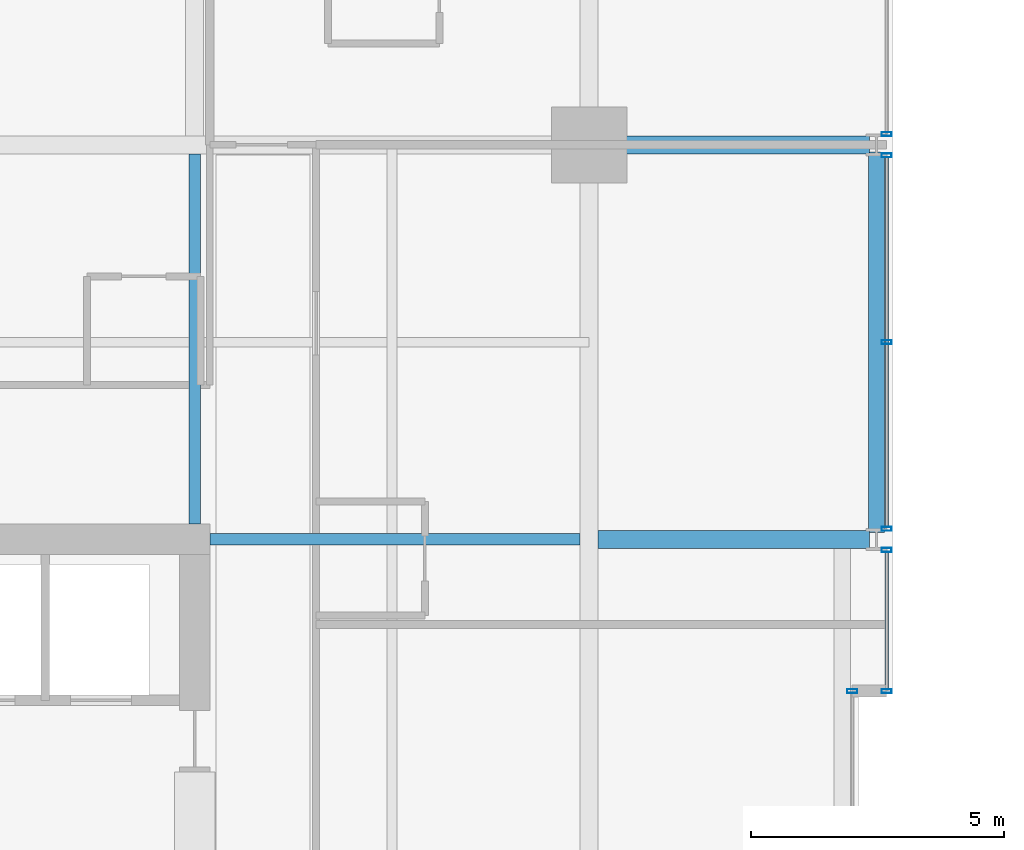
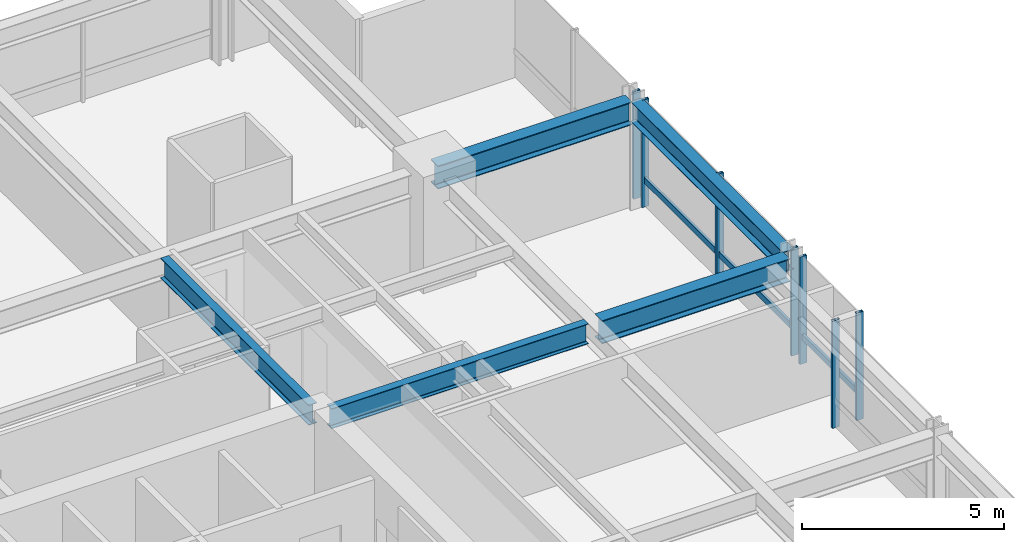
# One storey, part 23 of 33: 9 members, 5 beams, 4 elements without a shape of their own.
"""IFC4 building model written with IfcOpenShell, lengths in metres."""

from ifc_helpers import new_model, si_unit, direction, frame, origin, origin_2d, place, context, subcontext, project, spatial, hollow_rectangle, i_section, extrude, material, layer, layer_set, material_profile, profile_set, type_object, element, aggregate, save


model = new_model("IFC4")

# Units and contexts
model_context = context("Model", 3, precision=1e-05, world=origin(), true_north=direction((0.0, 1.0)))
body_context = subcontext(model_context, "Body", "Model", "MODEL_VIEW")
ifc_project = project(units=[si_unit("LENGTHUNIT", "METRE"), si_unit("AREAUNIT", "SQUARE_METRE"), si_unit("VOLUMEUNIT", "CUBIC_METRE"), si_unit("PLANEANGLEUNIT", "RADIAN"), si_unit("MASSUNIT", "GRAM", prefix="KILO")], contexts=[model_context])

# Site, building, storey
site_placement = place(None, origin())
site = spatial("IfcSite", under=ifc_project, at=site_placement, CompositionType="ELEMENT")
building_placement = place(site_placement, origin())
building = spatial("IfcBuilding", under=site, at=building_placement, Name="Drelvath Grand Hotel", CompositionType="ELEMENT")
storey_placement = place(building_placement, frame((0.0, 0.0, 119.800048828125)))
storey = spatial("IfcBuildingStorey", under=building, at=storey_placement, Name="L30", CompositionType="ELEMENT", Elevation=119.800048828125)

# Curtain wall, member
ifc_material_1 = material(Name="Champagne Bronze Anodised Aluminium Frame", Category="aluminium")
ifc_layer = layer(ifc_material_1, 0.199951171875)
ifc_layer_set = layer_set([ifc_layer], Name="Champagne Bronze Anodised Aluminium Frame")
curtain_wall_type = type_object("IfcCurtainWallType", Name="Stick Curtain Wall CW-03 Champagne Bronze Mid-Rise", PredefinedType="NOTDEFINED", material=ifc_layer_set)
curtain_wall_1_placement = place(storey_placement, origin())
curtain_wall_1 = element("IfcCurtainWall", 1, at=curtain_wall_1_placement, inside=storey, type_object=curtain_wall_type, Name="L30 CW-03 Curtain Wall CW03-L30-EN1", PredefinedType="NOTDEFINED")
ifc_material_profile_1 = material_profile(ifc_material_1, hollow_rectangle(XDim=0.074951171875, YDim=0.179931640625, WallThickness=0.0048828125, at=origin_2d()), Name="HSS180X75X5")
ifc_profile_set_1 = profile_set([ifc_material_profile_1], Name="Champagne Bronze Anodised Aluminium Frame")
member_type_1 = type_object("IfcMemberType", Name="Curtain Wall Horizontal Transom CW-03 HSS180X75X5", PredefinedType="USERDEFINED", material=ifc_profile_set_1)
member_1_placement = place(storey_placement, frame((22.080078125, 35.150634765625, 0.81005859375), z_axis=(0.0, -1.0, 0.0), x_axis=(1.0, 0.0, 0.0)))
member_1 = element("IfcMember", 2, at=member_1_placement, type_object=member_type_1, Name="CW03-L30-EN1 Sill Transom", ObjectType="TRANSOM", PredefinedType="USERDEFINED", context=body_context, shape_type="SweptSolid", body=[
    extrude(hollow_rectangle(XDim=0.074951171875, YDim=0.179931640625, WallThickness=0.0048828125, at=origin_2d()), origin(), (0.0, 0.0, 1.0), 2.710693359375),
])

curtain_wall_2_placement = place(storey_placement, origin())
curtain_wall_2 = element("IfcCurtainWall", 3, at=curtain_wall_2_placement, inside=storey, type_object=curtain_wall_type, Name="L30 CW-03 Curtain Wall CW03-L30-EN2", PredefinedType="NOTDEFINED")
member_2_placement = place(storey_placement, frame((22.080078125, 42.95068359375, 0.81005859375), z_axis=(0.0, -1.0, 0.0), x_axis=(1.0, 0.0, 0.0)))
member_2 = element("IfcMember", 4, at=member_2_placement, type_object=member_type_1, Name="CW03-L30-EN2 Sill Transom", ObjectType="TRANSOM", PredefinedType="USERDEFINED", context=body_context, shape_type="SweptSolid", body=[
    extrude(hollow_rectangle(XDim=0.074951171875, YDim=0.179931640625, WallThickness=0.0048828125, at=origin_2d()), origin(), (0.0, 0.0, 1.0), 7.30126953125),
])

# Member
ifc_material_profile_2 = material_profile(ifc_material_1, hollow_rectangle(XDim=0.080078125, YDim=0.199951171875, WallThickness=0.0048828125, at=origin_2d()), Name="HSS200X80X5")
ifc_profile_set_2 = profile_set([ifc_material_profile_2], Name="Champagne Bronze Anodised Aluminium Frame")
member_type_2 = type_object("IfcMemberType", Name="Curtain Wall Vertical Mullion CW-03 HSS200X80X5", PredefinedType="MULLION", material=ifc_profile_set_2)
member_3_placement = place(storey_placement, frame((22.080078125, 35.190673828125, 0.0), z_axis=(0.0, 0.0, 1.0), x_axis=(0.0, 1.0, 0.0)))
member_3 = element("IfcMember", 5, at=member_3_placement, type_object=member_type_2, Name="CW03-L30-EN1 Mullion 1", PredefinedType="MULLION", context=body_context, shape_type="SweptSolid", body=[
    extrude(hollow_rectangle(XDim=0.080078125, YDim=0.199951171875, WallThickness=0.0048828125, at=origin_2d()), origin(), (0.0, 0.0, 1.0), 3.239990234375),
])

member_4_placement = place(storey_placement, frame((22.080078125, 32.39990234375, 0.0), z_axis=(0.0, 0.0, 1.0), x_axis=(0.0, 1.0, 0.0)))
member_4 = element("IfcMember", 6, at=member_4_placement, type_object=member_type_2, Name="CW03-L30-EN1 Mullion 2", PredefinedType="MULLION", context=body_context, shape_type="SweptSolid", body=[
    extrude(hollow_rectangle(XDim=0.080078125, YDim=0.199951171875, WallThickness=0.0048828125, at=origin_2d()), origin(), (0.0, 0.0, 1.0), 3.239990234375),
])

aggregate(curtain_wall_1, [member_3, member_4, member_1])

member_5_placement = place(storey_placement, frame((22.080078125, 42.990478515625, 0.0), z_axis=(0.0, 0.0, 1.0), x_axis=(0.0, 1.0, 0.0)))
member_5 = element("IfcMember", 7, at=member_5_placement, type_object=member_type_2, Name="CW03-L30-EN2 Mullion 1", PredefinedType="MULLION", context=body_context, shape_type="SweptSolid", body=[
    extrude(hollow_rectangle(XDim=0.080078125, YDim=0.199951171875, WallThickness=0.0048828125, at=origin_2d()), origin(), (0.0, 0.0, 1.0), 3.239990234375),
])

member_6_placement = place(storey_placement, frame((22.080078125, 39.300048828125, 0.0), z_axis=(0.0, 0.0, 1.0), x_axis=(0.0, 1.0, 0.0)))
member_6 = element("IfcMember", 8, at=member_6_placement, type_object=member_type_2, Name="CW03-L30-EN2 Mullion 2", PredefinedType="MULLION", context=body_context, shape_type="SweptSolid", body=[
    extrude(hollow_rectangle(XDim=0.080078125, YDim=0.199951171875, WallThickness=0.0048828125, at=origin_2d()), origin(), (0.0, 0.0, 1.0), 3.239990234375),
])

member_7_placement = place(storey_placement, frame((22.080078125, 35.609375, 0.0), z_axis=(0.0, 0.0, 1.0), x_axis=(0.0, 1.0, 0.0)))
member_7 = element("IfcMember", 9, at=member_7_placement, type_object=member_type_2, Name="CW03-L30-EN2 Mullion 3", PredefinedType="MULLION", context=body_context, shape_type="SweptSolid", body=[
    extrude(hollow_rectangle(XDim=0.080078125, YDim=0.199951171875, WallThickness=0.0048828125, at=origin_2d()), origin(), (0.0, 0.0, 1.0), 3.239990234375),
])

aggregate(curtain_wall_2, [member_5, member_6, member_7, member_2])

# Curtain wall, member
curtain_wall_3_placement = place(storey_placement, origin())
curtain_wall_3 = element("IfcCurtainWall", 10, at=curtain_wall_3_placement, inside=storey, type_object=curtain_wall_type, Name="L30 CW-03 Curtain Wall CW03-L30-EN3", PredefinedType="NOTDEFINED")
member_8_placement = place(storey_placement, frame((22.080078125, 43.409423828125, 0.0), z_axis=(0.0, 0.0, 1.0), x_axis=(0.0, 1.0, 0.0)))
member_8 = element("IfcMember", 11, at=member_8_placement, type_object=member_type_2, Name="CW03-L30-EN3 Mullion 3", PredefinedType="MULLION", context=body_context, shape_type="SweptSolid", body=[
    extrude(hollow_rectangle(XDim=0.080078125, YDim=0.199951171875, WallThickness=0.0048828125, at=origin_2d()), origin(), (0.0, 0.0, 1.0), 3.239990234375),
])
aggregate(curtain_wall_3, [member_8])

curtain_wall_4_placement = place(storey_placement, origin())
curtain_wall_4 = element("IfcCurtainWall", 12, at=curtain_wall_4_placement, inside=storey, type_object=curtain_wall_type, Name="L30 CW-03 Curtain Wall CW03-L30-EM2", PredefinedType="NOTDEFINED")
member_9_placement = place(storey_placement, frame((21.39990234375, 32.39990234375, 0.0), z_axis=(0.0, 0.0, 1.0), x_axis=(0.0, 1.0, 0.0)))
member_9 = element("IfcMember", 13, at=member_9_placement, type_object=member_type_2, Name="CW03-L30-EM2 Mullion 1", PredefinedType="MULLION", context=body_context, shape_type="SweptSolid", body=[
    extrude(hollow_rectangle(XDim=0.080078125, YDim=0.199951171875, WallThickness=0.0048828125, at=origin_2d()), origin(), (0.0, 0.0, 1.0), 3.239990234375),
])
aggregate(curtain_wall_4, [member_9])

# Beams
ifc_material_2 = material(Name="Steel ASTM A992 Gr 50", Category="steel")
ifc_material_profile_3 = material_profile(ifc_material_2, i_section(OverallWidth=0.323974609375, OverallDepth=0.611083984375, WebThickness=0.0126953125, FlangeThickness=0.01904296875, FilletRadius=0.02197265625, at=origin_2d()), Name="W24X104")
ifc_profile_set_3 = profile_set([ifc_material_profile_3], Name="Steel ASTM A992 Gr 50")
beam_type_1 = type_object("IfcBeamType", Name="Perimeter Spandrel Beam W24X104", PredefinedType="SPANDREL", material=ifc_profile_set_3)
beam_1_placement = place(storey_placement, frame((21.8798828125, 35.5400390625, 2.9345703125), z_axis=(0.0, 1.0, 0.0), x_axis=(-1.0, 0.0, 0.0)))
element("IfcBeam", 14, at=beam_1_placement, inside=storey, type_object=beam_type_1, Name="L30 Spandrel East N", PredefinedType="SPANDREL", context=body_context, shape_type="SweptSolid", body=[
    extrude(i_section(OverallWidth=0.323974609375, OverallDepth=0.611083984375, WebThickness=0.0126953125, FlangeThickness=0.01904296875, FilletRadius=0.02197265625, at=origin_2d()), origin(), (0.0, 0.0, 1.0), 7.52001953125),
])
ifc_material_profile_4 = material_profile(ifc_material_2, i_section(OverallWidth=0.228271484375, OverallDepth=0.607666015625, WebThickness=0.01123046875, FlangeThickness=0.017333984375, FilletRadius=0.02001953125, at=origin_2d()), Name="W24X76")
ifc_profile_set_4 = profile_set([ifc_material_profile_4], Name="Steel ASTM A992 Gr 50")
beam_type_2 = type_object("IfcBeamType", Name="Primary Floor Girder W24X76", PredefinedType="BEAM", material=ifc_profile_set_4)
for number, where, z_axis, x_axis, name in (
    (15, (8.699951171875, 35.39990234375, 2.93603515625), (1.0, 0.0, 0.0), (0.0, 1.0, 0.0), "L30 East Core Tie F"),
    (16, (8.39990234375, 35.699951171875, 2.93603515625), (0.0, 1.0, 0.0), (-1.0, 0.0, 0.0), "L30 North Core Tie 6"),
):
    element("IfcBeam", number, at=place(storey_placement, frame(where, z_axis=z_axis, x_axis=x_axis)), inside=storey, type_object=beam_type_2, Name=name, PredefinedType="BEAM", context=body_context, shape_type="SweptSolid", body=[
        extrude(i_section(OverallWidth=0.228271484375, OverallDepth=0.607666015625, WebThickness=0.01123046875, FlangeThickness=0.017333984375, FilletRadius=0.02001953125, at=origin_2d()), origin(), (0.0, 0.0, 1.0), 7.32275390625),
    ])
ifc_material_profile_5 = material_profile(ifc_material_2, i_section(OverallWidth=0.354736328125, OverallDepth=0.695556640625, WebThickness=0.015380859375, FlangeThickness=0.025146484375, FilletRadius=0.02392578125, at=origin_2d()), Name="W27X146")
ifc_profile_set_5 = profile_set([ifc_material_profile_5], Name="Steel ASTM A992 Gr 50")
beam_type_3 = type_object("IfcBeamType", Name="Primary Floor Girder W27X146", PredefinedType="BEAM", material=ifc_profile_set_5)
beam_2_placement = place(storey_placement, frame((16.199951171875, 43.199951171875, 2.892333984375), z_axis=(1.0, 0.0, 0.0), x_axis=(0.0, 1.0, 0.0)))
element("IfcBeam", 17, at=beam_2_placement, inside=storey, type_object=beam_type_3, Name="L30 East Grid Girder G", PredefinedType="BEAM", context=body_context, shape_type="SweptSolid", body=[
    extrude(i_section(OverallWidth=0.354736328125, OverallDepth=0.695556640625, WebThickness=0.015380859375, FlangeThickness=0.025146484375, FilletRadius=0.02392578125, at=origin_2d()), origin(), (0.0, 0.0, 1.0), 5.5400390625),
])
beam_3_placement = place(storey_placement, frame((16.37744140625, 35.39990234375, 2.892333984375), z_axis=(1.0, 0.0, 0.0), x_axis=(0.0, 1.0, 0.0)))
element("IfcBeam", 18, at=beam_3_placement, inside=storey, type_object=beam_type_3, Name="L30 East Wing Girder F", PredefinedType="BEAM", context=body_context, shape_type="SweptSolid", body=[
    extrude(i_section(OverallWidth=0.354736328125, OverallDepth=0.695556640625, WebThickness=0.015380859375, FlangeThickness=0.025146484375, FilletRadius=0.02392578125, at=origin_2d()), origin(), (0.0, 0.0, 1.0), 5.362548828125),
])

save(model, "model.ifc")
